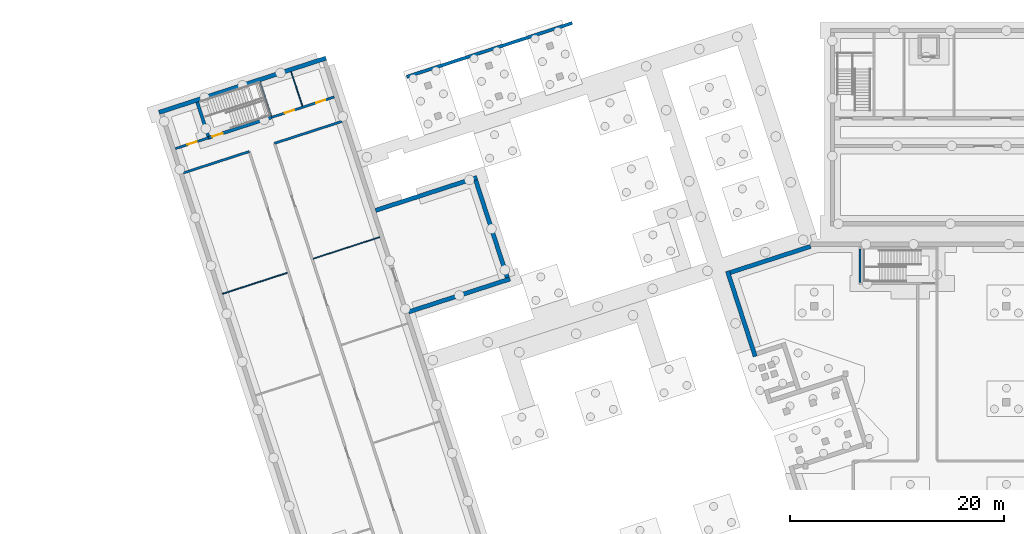
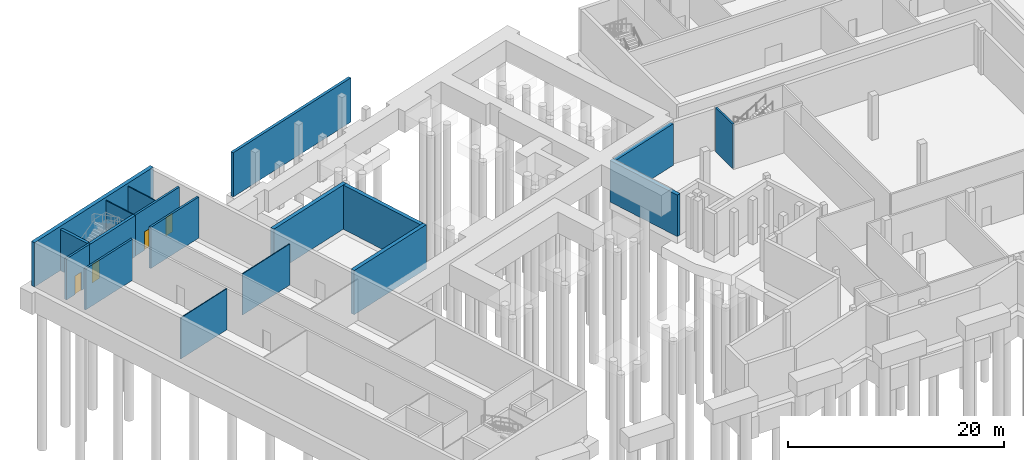
# One storey, part 10 of 17: 18 walls, 4 doors, 4 openings.
"""IFC4 building model written with IfcOpenShell, lengths in metres."""

from ifc_helpers import new_model, si_unit, direction, frame, frame_2d, origin, place, context, subcontext, project, spatial, rectangle, extrude, material, layer, layer_set, type_object, element, fill, save


model = new_model("IFC4")

# Units and contexts
model_context = context("Model", 3, precision=1e-05, world=origin(), true_north=direction((0.0, 1.0)))
body_context = subcontext(model_context, "Body", "Model", "MODEL_VIEW")
ifc_project = project(units=[si_unit("LENGTHUNIT", "METRE"), si_unit("AREAUNIT", "SQUARE_METRE"), si_unit("VOLUMEUNIT", "CUBIC_METRE"), si_unit("PLANEANGLEUNIT", "RADIAN"), si_unit("MASSUNIT", "GRAM", prefix="KILO")], contexts=[model_context])

# Site, building, storey
site_placement = place(None, origin())
site = spatial("IfcSite", under=ifc_project, at=site_placement, CompositionType="ELEMENT")
building_placement = place(site_placement, origin())
building = spatial("IfcBuilding", under=site, at=building_placement, Name="Tuart Plaza Theatre", CompositionType="ELEMENT")
storey_placement = place(building_placement, frame((0.0, 0.0, -10.0)))
storey = spatial("IfcBuildingStorey", under=building, at=storey_placement, Name="B2", CompositionType="ELEMENT", Elevation=-10.0)

# Walls
ifc_material_1 = material(Name="Plasterboard on steel stud", Category="steel")
ifc_layer_1 = layer(ifc_material_1, 0.10009765625)
ifc_layer_set_1 = layer_set([ifc_layer_1], Name="PARTITION STD100")
wall_type_1 = type_object("IfcWallType", Name="PARTITION STD100", PredefinedType="PARTITIONING", material=ifc_layer_set_1)
wall_1_placement = place(storey_placement, frame((30.0478515625, 92.727294921875, 0.0), z_axis=(0.0, 0.0, 1.0), x_axis=(-0.309024191767, 0.951054177691, 0.0)))
element("IfcWall", 1, at=wall_1_placement, inside=storey, type_object=wall_type_1, Name="P200", PredefinedType="PARTITIONING", context=body_context, shape_type="SweptSolid", body=[
    extrude(rectangle(XDim=3.39013671875, YDim=0.10009765625, at=frame_2d((1.695068359375, 0.0))), origin(), (0.0, 0.0, 1.0), 4.64990234375),
])
ifc_material_2 = material(Name="Plasterboard on steel stud", Category="steel")
ifc_layer_2 = layer(ifc_material_2, 0.10009765625)
ifc_layer_set_2 = layer_set([ifc_layer_2], Name="PARTITION STD100 FRL -/120/120")
wall_type_2 = type_object("IfcWallType", Name="PARTITION STD100 FRL -/120/120", PredefinedType="PARTITIONING", material=ifc_layer_set_2)
wall_2_placement = place(storey_placement, frame((22.565185546875, 75.144287109375, 0.0), z_axis=(0.0, 0.0, 1.0), x_axis=(0.951055405517, 0.309020412977, 0.0)))
element("IfcWall", 2, at=wall_2_placement, inside=storey, type_object=wall_type_2, Name="P196", PredefinedType="PARTITIONING", context=body_context, shape_type="SweptSolid", body=[
    extrude(rectangle(XDim=6.389892578125, YDim=0.10009765625, at=frame_2d((3.19482421875, 0.0))), origin(), (0.0, 0.0, 1.0), 4.64990234375),
])
wall_3_placement = place(storey_placement, frame((31.07470703125, 78.43505859375, 0.0), z_axis=(0.0, 0.0, 1.0), x_axis=(0.951056287011, 0.309017700038, 0.0)))
element("IfcWall", 3, at=wall_3_placement, inside=storey, type_object=wall_type_2, Name="P197", PredefinedType="PARTITIONING", context=body_context, shape_type="SweptSolid", body=[
    extrude(rectangle(XDim=6.5400390625, YDim=0.10009765625, at=frame_2d((3.27001953125, 0.0))), origin(), (0.0, 0.0, 1.0), 4.64990234375),
])
ifc_material_3 = material(Name="Plasterboard on steel stud", Category="steel")
ifc_layer_3 = layer(ifc_material_3, 0.10009765625)
ifc_layer_set_3 = layer_set([ifc_layer_3], Name="PARTITION STD100 FRL 120/120/120")
wall_type_3 = type_object("IfcWallType", Name="PARTITION STD100 FRL 120/120/120", PredefinedType="PARTITIONING", material=ifc_layer_set_3)
wall_4_placement = place(storey_placement, frame((27.134765625, 91.82275390625, 0.0), z_axis=(0.0, 0.0, 1.0), x_axis=(-0.309003676349, 0.951060843481, 0.0)))
element("IfcWall", 4, at=wall_4_placement, inside=storey, type_object=wall_type_3, Name="P199", PredefinedType="PARTITIONING", context=body_context, shape_type="SweptSolid", body=[
    extrude(rectangle(XDim=3.35009765625, YDim=0.10009765625, at=frame_2d((1.675048828125, 0.0))), origin(), (0.0, 0.0, 1.0), 4.64990234375),
])
ifc_material_4 = material(Name="Concrete N40 (40 MPa)", Category="concrete")
ifc_layer_4 = layer(ifc_material_4, 0.199951171875)
ifc_layer_set_4 = layer_set([ifc_layer_4], Name="SHEAR WALL RC200 FRL 120/120/120")
wall_type_4 = type_object("IfcWallType", Name="SHEAR WALL RC200 FRL 120/120/120", PredefinedType="SHEAR", material=ifc_layer_set_4)
wall_5_placement = place(storey_placement, frame((82.300048828125, 79.35009765625, 0.0), z_axis=(0.0, 0.0, 1.0), x_axis=(0.0, -1.0, 0.0)))
element("IfcWall", 5, at=wall_5_placement, inside=storey, type_object=wall_type_4, Name="W265", PredefinedType="SHEAR", context=body_context, shape_type="SweptSolid", body=[
    extrude(rectangle(XDim=3.150146484375, YDim=0.199951171875, at=frame_2d((1.5751953125, 0.0))), origin(), (0.0, 0.0, 1.0), 5.0),
])
ifc_material_5 = material(Name="Concrete N40 (40 MPa)", Category="concrete")
ifc_layer_5 = layer(ifc_material_5, 0.39990234375)
ifc_layer_set_5 = layer_set([ifc_layer_5], Name="SHEAR WALL RC400 FRL 120/120/120 EXT")
wall_type_5 = type_object("IfcWallType", Name="SHEAR WALL RC400 FRL 120/120/120 EXT", PredefinedType="SHEAR", material=ifc_layer_set_5)
wall_6_placement = place(storey_placement, frame((72.47021484375, 69.27880859375, 0.0), z_axis=(0.0, 0.0, 1.0), x_axis=(-0.30901640812, 0.951056706781, 0.0)))
element("IfcWall", 6, at=wall_6_placement, inside=storey, type_object=wall_type_5, Name="W309", PredefinedType="SHEAR", context=body_context, shape_type="SweptSolid", body=[
    extrude(rectangle(XDim=8.39990234375, YDim=0.39990234375, at=frame_2d((4.199951171875, 0.0))), origin(), (0.0, 0.0, 1.0), 4.699951171875),
])
wall_7_placement = place(storey_placement, frame((70.12646484375, 77.13916015625, 0.0), z_axis=(0.0, 0.0, 1.0), x_axis=(0.951056942633, 0.309015682239, 0.0)))
element("IfcWall", 7, at=wall_7_placement, inside=storey, type_object=wall_type_5, Name="W310", PredefinedType="SHEAR", context=body_context, shape_type="SweptSolid", body=[
    extrude(rectangle(XDim=7.921142578125, YDim=0.39990234375, at=frame_2d((3.96044921875, 0.0))), origin(), (0.0, 0.0, 1.0), 4.699951171875),
])
ifc_material_6 = material(Name="Concrete N40 (40 MPa)", Category="concrete")
ifc_layer_6 = layer(ifc_material_6, 0.219970703125)
ifc_layer_set_6 = layer_set([ifc_layer_6], Name="WALL RC220 LB FRL 120/120/120")
wall_type_6 = type_object("IfcWallType", Name="WALL RC220 LB FRL 120/120/120", PredefinedType="SOLIDWALL", material=ifc_layer_set_6)
wall_8_placement = place(storey_placement, frame((18.8876953125, 86.4619140625, 0.0), z_axis=(0.0, 0.0, 1.0), x_axis=(0.951059735424, 0.30900708674, 0.0)))
element("IfcWall", 8, at=wall_8_placement, inside=storey, type_object=wall_type_6, Name="W491", PredefinedType="SOLIDWALL", context=body_context, shape_type="SweptSolid", body=[
    extrude(rectangle(XDim=6.5, YDim=0.219970703125, at=frame_2d((3.25, 0.0))), origin(), (0.0, 0.0, 1.0), 4.64990234375),
])
wall_9_placement = place(storey_placement, frame((27.447265625, 89.2431640625, 0.0), z_axis=(0.0, 0.0, 1.0), x_axis=(0.95105699893, 0.309015508975, 0.0)))
element("IfcWall", 9, at=wall_9_placement, inside=storey, type_object=wall_type_6, Name="W492", PredefinedType="SOLIDWALL", context=body_context, shape_type="SweptSolid", body=[
    extrude(rectangle(XDim=6.64990234375, YDim=0.219970703125, at=frame_2d((3.324951171875, 0.0))), origin(), (0.0, 0.0, 1.0), 4.64990234375),
])

# Wall, opening, door
wall_10_placement = place(storey_placement, frame((18.146240234375, 88.744384765625, 0.0), z_axis=(0.0, 0.0, 1.0), x_axis=(0.951053095941, 0.309027520945, 0.0)))
wall_10 = element("IfcWall", 10, at=wall_10_placement, inside=storey, type_object=wall_type_6, Name="W493", PredefinedType="SOLIDWALL", context=body_context, shape_type="SweptSolid", body=[
    extrude(rectangle(XDim=3.300048828125, YDim=0.219970703125, at=frame_2d((1.64990234375, 0.0))), origin(), (0.0, 0.0, 1.0), 4.64990234375),
])
opening_1_placement = place(wall_10_placement, frame((1.199951171875, 0.0, 0.0)))
opening_1 = element("IfcOpeningElement", 11, at=opening_1_placement, cuts=wall_10, Name="Opening B2-007", PredefinedType="OPENING", context=body_context, shape_type="SweptSolid", body=[
    extrude(rectangle(XDim=0.89990234375, YDim=2.10009765625, at=frame_2d((0.449951171875, 1.050048828125))), frame((0.0, 0.119873046875, 0.0), z_axis=(0.0, -1.0, 0.0), x_axis=(1.0, 0.0, 0.0)), (0.0, 0.0, 1.0), 0.239990234375),
])
ifc_material_7 = material(Name="Timber", Category="wood")
door_type_1 = type_object("IfcDoorType", Name="DOOR 900x2100 timber single swing FRL -/120/30", OperationType="SINGLE_SWING_LEFT", PredefinedType="DOOR", material=ifc_material_7)
door_1_placement = place(opening_1_placement, origin())
door_1 = element("IfcDoor", 12, at=door_1_placement, inside=storey, type_object=door_type_1, Name="B2-007", OperationType="SINGLE_SWING_LEFT", OverallHeight=2.10009765625, OverallWidth=0.89990234375, PredefinedType="DOOR", context=body_context, shape_type="SweptSolid", body=[
    extrude(rectangle(XDim=0.89990234375, YDim=2.10009765625, at=frame_2d((0.449951171875, 1.050048828125))), frame((0.0, 0.02490234375, 0.0), z_axis=(0.0, -1.0, 0.0), x_axis=(1.0, 0.0, 0.0)), (0.0, 0.0, 1.0), 0.050048828125),
])
fill(opening_1, door_1)

# Wall, openings, doors
wall_11_placement = place(storey_placement, frame((27.18115234375, 91.68017578125, 0.0), z_axis=(0.0, 0.0, 1.0), x_axis=(0.951061487132, 0.309001695293, 0.0)))
wall_11 = element("IfcWall", 13, at=wall_11_placement, inside=storey, type_object=wall_type_6, Name="W494", PredefinedType="SOLIDWALL", context=body_context, shape_type="SweptSolid", body=[
    extrude(rectangle(XDim=6.150146484375, YDim=0.219970703125, at=frame_2d((3.0751953125, 0.0))), origin(), (0.0, 0.0, 1.0), 4.64990234375),
])
opening_2_placement = place(wall_11_placement, frame((1.29296875, 0.0, 0.0)))
opening_2 = element("IfcOpeningElement", 14, at=opening_2_placement, cuts=wall_11, Name="Opening B2-008", PredefinedType="OPENING", context=body_context, shape_type="SweptSolid", body=[
    extrude(rectangle(XDim=0.89990234375, YDim=2.10009765625, at=frame_2d((0.449951171875, 1.050048828125))), frame((0.0, 0.119873046875, 0.0), z_axis=(0.0, -1.0, 0.0), x_axis=(1.0, 0.0, 0.0)), (0.0, 0.0, 1.0), 0.239990234375),
])
opening_3_placement = place(wall_11_placement, frame((4.371337890625, 0.0, 0.0)))
opening_3 = element("IfcOpeningElement", 15, at=opening_3_placement, cuts=wall_11, Name="Opening B2-009", PredefinedType="OPENING", context=body_context, shape_type="SweptSolid", body=[
    extrude(rectangle(XDim=0.89990234375, YDim=2.10009765625, at=frame_2d((0.449951171875, 1.050048828125))), frame((0.0, 0.119873046875, 0.0), z_axis=(0.0, -1.0, 0.0), x_axis=(1.0, 0.0, 0.0)), (0.0, 0.0, 1.0), 0.239990234375),
])
door_2_placement = place(opening_2_placement, origin())
door_2 = element("IfcDoor", 16, at=door_2_placement, inside=storey, type_object=door_type_1, Name="B2-008", OperationType="SINGLE_SWING_RIGHT", OverallHeight=2.10009765625, OverallWidth=0.89990234375, PredefinedType="DOOR", context=body_context, shape_type="SweptSolid", body=[
    extrude(rectangle(XDim=0.89990234375, YDim=2.10009765625, at=frame_2d((0.449951171875, 1.050048828125))), frame((0.0, 0.02490234375, 0.0), z_axis=(0.0, -1.0, 0.0), x_axis=(1.0, 0.0, 0.0)), (0.0, 0.0, 1.0), 0.050048828125),
])
fill(opening_2, door_2)
door_3_placement = place(opening_3_placement, origin())
door_3 = element("IfcDoor", 17, at=door_3_placement, inside=storey, type_object=door_type_1, Name="B2-009", OperationType="SINGLE_SWING_LEFT", OverallHeight=2.10009765625, OverallWidth=0.89990234375, PredefinedType="DOOR", context=body_context, shape_type="SweptSolid", body=[
    extrude(rectangle(XDim=0.89990234375, YDim=2.10009765625, at=frame_2d((0.449951171875, 1.050048828125))), frame((0.0, 0.02490234375, 0.0), z_axis=(0.0, -1.0, 0.0), x_axis=(1.0, 0.0, 0.0)), (0.0, 0.0, 1.0), 0.050048828125),
])
fill(opening_3, door_3)

# Wall, opening, door
ifc_material_8 = material(Name="Concrete N40 (40 MPa)", Category="concrete")
ifc_layer_7 = layer(ifc_material_8, 0.300048828125)
ifc_layer_set_7 = layer_set([ifc_layer_7], Name="WALL RC300 LB FRL 120/120/120")
wall_type_7 = type_object("IfcWallType", Name="WALL RC300 LB FRL 120/120/120", PredefinedType="SOLIDWALL", material=ifc_layer_set_7)
wall_12_placement = place(storey_placement, frame((27.18115234375, 91.68017578125, 0.0), z_axis=(0.0, 0.0, 1.0), x_axis=(-0.951051301895, -0.309033042189, 0.0)))
wall_12 = element("IfcWall", 18, at=wall_12_placement, inside=storey, type_object=wall_type_7, Name="W111", PredefinedType="SOLIDWALL", context=body_context, shape_type="SweptSolid", body=[
    extrude(rectangle(XDim=6.35009765625, YDim=0.300048828125, at=frame_2d((3.175048828125, 0.0))), origin(), (0.0, 0.0, 1.0), 4.64990234375),
])
opening_4_placement = place(wall_12_placement, frame((4.85009765625, 0.0, 0.0)))
opening_4 = element("IfcOpeningElement", 19, at=opening_4_placement, cuts=wall_12, Name="Opening B2-019", PredefinedType="OPENING", context=body_context, shape_type="SweptSolid", body=[
    extrude(rectangle(XDim=1.0, YDim=2.10009765625, at=frame_2d((0.5, 1.050048828125))), frame((0.0, 0.159912109375, 0.0), z_axis=(0.0, -1.0, 0.0), x_axis=(1.0, 0.0, 0.0)), (0.0, 0.0, 1.0), 0.320068359375),
])
ifc_material_9 = material(Name="Timber", Category="wood")
door_type_2 = type_object("IfcDoorType", Name="DOOR 1000x2100 timber single swing FRL -/120/30", OperationType="SINGLE_SWING_LEFT", PredefinedType="DOOR", material=ifc_material_9)
door_4_placement = place(opening_4_placement, frame((1.0, 0.0, 0.0), z_axis=(0.0, 0.0, 1.0), x_axis=(-1.0, 0.0, 0.0)))
door_4 = element("IfcDoor", 20, at=door_4_placement, inside=storey, type_object=door_type_2, Name="B2-019", OperationType="SINGLE_SWING_RIGHT", OverallHeight=2.10009765625, OverallWidth=1.0, PredefinedType="DOOR", context=body_context, shape_type="SweptSolid", body=[
    extrude(rectangle(XDim=1.0, YDim=2.10009765625, at=frame_2d((0.5, 1.050048828125))), frame((0.0, 0.02490234375, 0.0), z_axis=(0.0, -1.0, 0.0), x_axis=(1.0, 0.0, 0.0)), (0.0, 0.0, 1.0), 0.050048828125),
])
fill(opening_4, door_4)

# Walls
wall_13_placement = place(storey_placement, frame((21.23828125, 89.906982421875, 0.0), z_axis=(0.0, 0.0, 1.0), x_axis=(-0.309003676349, 0.951060843481, 0.0)))
element("IfcWall", 21, at=wall_13_placement, inside=storey, type_object=wall_type_7, Name="W112", PredefinedType="SOLIDWALL", context=body_context, shape_type="SweptSolid", body=[
    extrude(rectangle(XDim=3.35009765625, YDim=0.300048828125, at=frame_2d((1.675048828125, 0.0))), origin(), (0.0, 0.0, 1.0), 4.64990234375),
])
wall_14_placement = place(storey_placement, frame((39.827880859375, 95.473876953125, 0.0), z_axis=(0.0, 0.0, 1.0), x_axis=(0.951058391285, 0.309011223689, 0.0)))
element("IfcWall", 22, at=wall_14_placement, inside=storey, type_object=wall_type_7, Name="W1554", PredefinedType="SOLIDWALL", context=body_context, shape_type="SweptSolid", body=[
    extrude(rectangle(XDim=16.300048828125, YDim=0.300048828125, at=frame_2d((8.14990234375, 0.0))), origin(), (0.0, 0.0, 1.0), 5.0),
])
ifc_material_10 = material(Name="Concrete N40 (40 MPa)", Category="concrete")
ifc_layer_8 = layer(ifc_material_10, 0.39990234375)
ifc_layer_set_8 = layer_set([ifc_layer_8], Name="WALL RC400 LB FRL 120/120/120")
wall_type_8 = type_object("IfcWallType", Name="WALL RC400 LB FRL 120/120/120", PredefinedType="SOLIDWALL", material=ifc_layer_set_8)
wall_15_placement = place(storey_placement, frame((32.267333984375, 97.22314453125, 0.0), z_axis=(0.0, 0.0, 1.0), x_axis=(-0.951054352744, -0.30902365302, 0.0)))
element("IfcWall", 23, at=wall_15_placement, inside=storey, type_object=wall_type_8, Name="W3", PredefinedType="SOLIDWALL", context=body_context, shape_type="SweptSolid", body=[
    extrude(rectangle(XDim=16.4501953125, YDim=0.39990234375, at=frame_2d((8.22509765625, 0.0))), origin(), (0.0, 0.0, 1.0), 5.0),
])
wall_16_placement = place(storey_placement, frame((39.99267578125, 73.44677734375, 0.0), z_axis=(0.0, 0.0, 1.0), x_axis=(0.951058286875, 0.309011545038, 0.0)))
element("IfcWall", 24, at=wall_16_placement, inside=storey, type_object=wall_type_8, Name="W5", PredefinedType="SOLIDWALL", context=body_context, shape_type="SweptSolid", body=[
    extrude(rectangle(XDim=10.0, YDim=0.39990234375, at=frame_2d((5.0, 0.0))), origin(), (0.0, 0.0, 1.0), 5.0),
])
wall_17_placement = place(storey_placement, frame((49.251220703125, 76.665283203125, 0.0), z_axis=(0.0, 0.0, 1.0), x_axis=(-0.309016491071, 0.951056679828, 0.0)))
element("IfcWall", 25, at=wall_17_placement, inside=storey, type_object=wall_type_8, Name="W6", PredefinedType="SOLIDWALL", context=body_context, shape_type="SweptSolid", body=[
    extrude(rectangle(XDim=9.60009765625, YDim=0.39990234375, at=frame_2d((4.800048828125, 0.0))), origin(), (0.0, 0.0, 1.0), 5.0),
])
wall_18_placement = place(storey_placement, frame((46.4130859375, 86.04736328125, 0.0), z_axis=(0.0, 0.0, 1.0), x_axis=(-0.951058286875, -0.309011545038, 0.0)))
element("IfcWall", 26, at=wall_18_placement, inside=storey, type_object=wall_type_8, Name="W7", PredefinedType="SOLIDWALL", context=body_context, shape_type="SweptSolid", body=[
    extrude(rectangle(XDim=10.0, YDim=0.39990234375, at=frame_2d((5.0, 0.0))), origin(), (0.0, 0.0, 1.0), 5.0),
])

save(model, "model.ifc")
